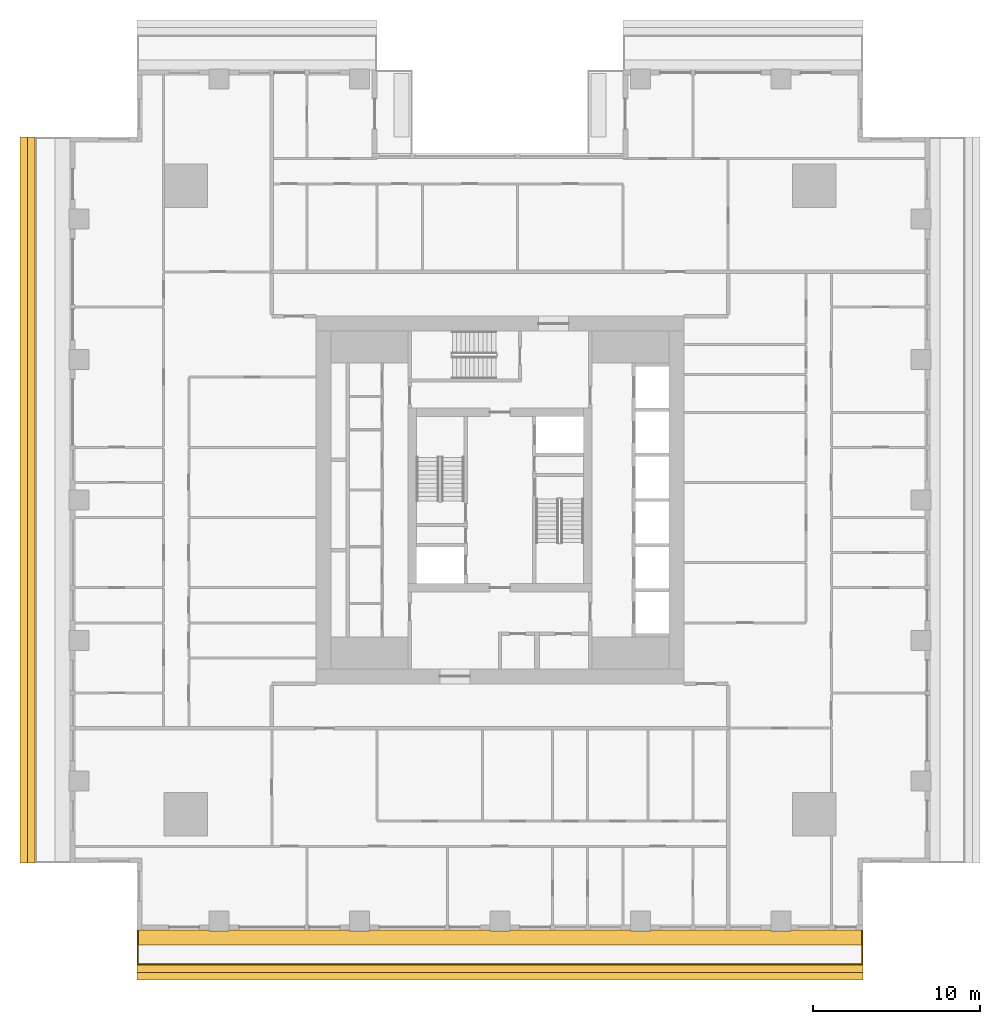
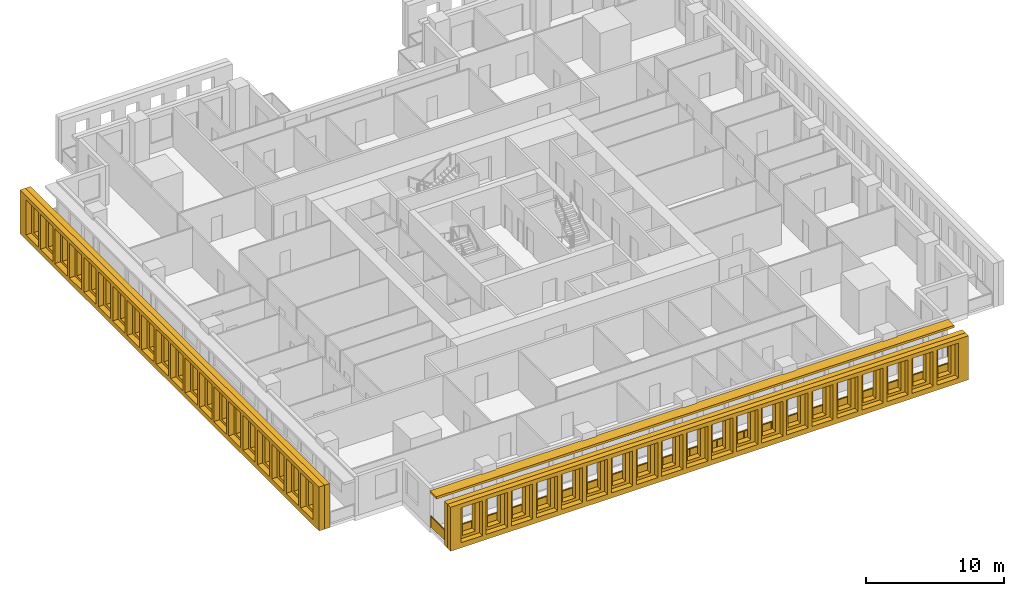
# One storey, part 11 of 16: 5 shading devices, 1 railing.
"""IFC4 building model written with IfcOpenShell, lengths in metres."""

from ifc_helpers import new_model, si_unit, direction, frame, origin, origin_2d, place, context, subcontext, project, spatial, polyline, rectangle, outline, extrude, material, layer, layer_set, type_object, element, save


model = new_model("IFC4")

# Units and contexts
model_context = context("Model", 3, precision=1e-05, world=origin(), true_north=direction((0.0, 1.0)))
body_context = subcontext(model_context, "Body", "Model", "MODEL_VIEW")
ifc_project = project(units=[si_unit("LENGTHUNIT", "METRE"), si_unit("AREAUNIT", "SQUARE_METRE"), si_unit("VOLUMEUNIT", "CUBIC_METRE"), si_unit("PLANEANGLEUNIT", "RADIAN"), si_unit("MASSUNIT", "GRAM", prefix="KILO")], contexts=[model_context])

# Site, building, storey
site_placement = place(None, origin())
site = spatial("IfcSite", under=ifc_project, at=site_placement, CompositionType="ELEMENT")
building_placement = place(site_placement, origin())
building = spatial("IfcBuilding", under=site, at=building_placement, Name="Khepri Terraces", CompositionType="ELEMENT")
storey_placement = place(building_placement, frame((0.0, 0.0, 149.39990234375)))
storey = spatial("IfcBuildingStorey", under=building, at=storey_placement, Name="L35", CompositionType="ELEMENT", Elevation=149.39990234375)

# Railing
ifc_material_1 = material(Name="Stainless steel grade 316", Category="steel")
railing_type = type_object("IfcRailingType", Name="GRD-BAL-1100", PredefinedType="GUARDRAIL", material=ifc_material_1)
railing_placement = place(storey_placement, frame((-21.669921875, -25.719970703125, 0.0)))
element("IfcRailing", 1, at=railing_placement, inside=storey, type_object=railing_type, Name="Balcony guard L35 S", PredefinedType="GUARDRAIL", context=body_context, shape_type="SweptSolid", body=[
    extrude(rectangle(XDim=0.050048828125, YDim=0.06005859375, at=origin_2d()), frame((0.0, 0.0, 1.070068359375), z_axis=(0.0, -1.0, 0.0), x_axis=(1.0, 0.0, 0.0)), (0.0, 0.0, 1.0), 2.050048828125),
    extrude(rectangle(XDim=2.0, YDim=0.011962890625, at=origin_2d()), frame((0.0, -1.02490234375, 0.10009765625), z_axis=(0.0, 0.0, 1.0), x_axis=(0.0, -1.0, 0.0)), (0.0, 0.0, 1.0), 0.93994140625),
    extrude(rectangle(XDim=0.050048828125, YDim=0.06005859375, at=origin_2d()), frame((0.0, -2.050048828125, 1.070068359375), z_axis=(1.0, 0.0, 0.0), x_axis=(0.0, 1.0, 0.0)), (0.0, 0.0, 1.0), 43.33984375),
    extrude(rectangle(XDim=2.23095703125, YDim=0.011962890625, at=origin_2d()), frame((1.140625, -2.050048828125, 0.10009765625), z_axis=(0.0, 0.0, 1.0), x_axis=(1.0, 0.0, 0.0)), (0.0, 0.0, 1.0), 0.93994140625),
    extrude(rectangle(XDim=2.23095703125, YDim=0.011962890625, at=origin_2d()), frame((3.421630859375, -2.050048828125, 0.10009765625), z_axis=(0.0, 0.0, 1.0), x_axis=(1.0, 0.0, 0.0)), (0.0, 0.0, 1.0), 0.93994140625),
    extrude(rectangle(XDim=2.23095703125, YDim=0.011962890625, at=origin_2d()), frame((5.70263671875, -2.050048828125, 0.10009765625), z_axis=(0.0, 0.0, 1.0), x_axis=(1.0, 0.0, 0.0)), (0.0, 0.0, 1.0), 0.93994140625),
    extrude(rectangle(XDim=2.23095703125, YDim=0.011962890625, at=origin_2d()), frame((7.983642578125, -2.050048828125, 0.10009765625), z_axis=(0.0, 0.0, 1.0), x_axis=(1.0, 0.0, 0.0)), (0.0, 0.0, 1.0), 0.93994140625),
    extrude(rectangle(XDim=2.23095703125, YDim=0.011962890625, at=origin_2d()), frame((10.2646484375, -2.050048828125, 0.10009765625), z_axis=(0.0, 0.0, 1.0), x_axis=(1.0, 0.0, 0.0)), (0.0, 0.0, 1.0), 0.93994140625),
    extrude(rectangle(XDim=2.23095703125, YDim=0.011962890625, at=origin_2d()), frame((12.545654296875, -2.050048828125, 0.10009765625), z_axis=(0.0, 0.0, 1.0), x_axis=(1.0, 0.0, 0.0)), (0.0, 0.0, 1.0), 0.93994140625),
    extrude(rectangle(XDim=2.23095703125, YDim=0.011962890625, at=origin_2d()), frame((14.826904296875, -2.050048828125, 0.10009765625), z_axis=(0.0, 0.0, 1.0), x_axis=(1.0, 0.0, 0.0)), (0.0, 0.0, 1.0), 0.93994140625),
    extrude(rectangle(XDim=2.23095703125, YDim=0.011962890625, at=origin_2d()), frame((17.10791015625, -2.050048828125, 0.10009765625), z_axis=(0.0, 0.0, 1.0), x_axis=(1.0, 0.0, 0.0)), (0.0, 0.0, 1.0), 0.93994140625),
    extrude(rectangle(XDim=2.23095703125, YDim=0.011962890625, at=origin_2d()), frame((19.388916015625, -2.050048828125, 0.10009765625), z_axis=(0.0, 0.0, 1.0), x_axis=(1.0, 0.0, 0.0)), (0.0, 0.0, 1.0), 0.93994140625),
    extrude(rectangle(XDim=2.23095703125, YDim=0.011962890625, at=origin_2d()), frame((21.669921875, -2.050048828125, 0.10009765625), z_axis=(0.0, 0.0, 1.0), x_axis=(1.0, 0.0, 0.0)), (0.0, 0.0, 1.0), 0.93994140625),
    extrude(rectangle(XDim=2.23095703125, YDim=0.011962890625, at=origin_2d()), frame((23.950927734375, -2.050048828125, 0.10009765625), z_axis=(0.0, 0.0, 1.0), x_axis=(1.0, 0.0, 0.0)), (0.0, 0.0, 1.0), 0.93994140625),
    extrude(rectangle(XDim=2.23095703125, YDim=0.011962890625, at=origin_2d()), frame((26.23193359375, -2.050048828125, 0.10009765625), z_axis=(0.0, 0.0, 1.0), x_axis=(1.0, 0.0, 0.0)), (0.0, 0.0, 1.0), 0.93994140625),
    extrude(rectangle(XDim=2.23095703125, YDim=0.011962890625, at=origin_2d()), frame((28.512939453125, -2.050048828125, 0.10009765625), z_axis=(0.0, 0.0, 1.0), x_axis=(1.0, 0.0, 0.0)), (0.0, 0.0, 1.0), 0.93994140625),
    extrude(rectangle(XDim=2.23095703125, YDim=0.011962890625, at=origin_2d()), frame((30.794189453125, -2.050048828125, 0.10009765625), z_axis=(0.0, 0.0, 1.0), x_axis=(1.0, 0.0, 0.0)), (0.0, 0.0, 1.0), 0.93994140625),
    extrude(rectangle(XDim=2.23095703125, YDim=0.011962890625, at=origin_2d()), frame((33.0751953125, -2.050048828125, 0.10009765625), z_axis=(0.0, 0.0, 1.0), x_axis=(1.0, 0.0, 0.0)), (0.0, 0.0, 1.0), 0.93994140625),
    extrude(rectangle(XDim=2.23095703125, YDim=0.011962890625, at=origin_2d()), frame((35.356201171875, -2.050048828125, 0.10009765625), z_axis=(0.0, 0.0, 1.0), x_axis=(1.0, 0.0, 0.0)), (0.0, 0.0, 1.0), 0.93994140625),
    extrude(rectangle(XDim=2.23095703125, YDim=0.011962890625, at=origin_2d()), frame((37.63720703125, -2.050048828125, 0.10009765625), z_axis=(0.0, 0.0, 1.0), x_axis=(1.0, 0.0, 0.0)), (0.0, 0.0, 1.0), 0.93994140625),
    extrude(rectangle(XDim=2.23095703125, YDim=0.011962890625, at=origin_2d()), frame((39.918212890625, -2.050048828125, 0.10009765625), z_axis=(0.0, 0.0, 1.0), x_axis=(1.0, 0.0, 0.0)), (0.0, 0.0, 1.0), 0.93994140625),
    extrude(rectangle(XDim=2.23095703125, YDim=0.011962890625, at=origin_2d()), frame((42.19921875, -2.050048828125, 0.10009765625), z_axis=(0.0, 0.0, 1.0), x_axis=(1.0, 0.0, 0.0)), (0.0, 0.0, 1.0), 0.93994140625),
    extrude(rectangle(XDim=0.050048828125, YDim=0.06005859375, at=origin_2d()), frame((43.33984375, -2.050048828125, 1.070068359375), z_axis=(0.0, 1.0, 0.0), x_axis=(-1.0, 0.0, 0.0)), (0.0, 0.0, 1.0), 2.050048828125),
    extrude(rectangle(XDim=2.0, YDim=0.011962890625, at=origin_2d()), frame((43.33984375, -1.02490234375, 0.10009765625), z_axis=(0.0, 0.0, 1.0), x_axis=(0.0, 1.0, 0.0)), (0.0, 0.0, 1.0), 0.93994140625),
    extrude(rectangle(XDim=0.050048828125, YDim=0.050048828125, at=origin_2d()), origin(), (0.0, 0.0, 1.0), 1.0400390625),
    extrude(rectangle(XDim=0.050048828125, YDim=0.050048828125, at=origin_2d()), frame((0.0, -2.050048828125, 0.0)), (0.0, 0.0, 1.0), 1.0400390625),
    extrude(rectangle(XDim=0.050048828125, YDim=0.050048828125, at=origin_2d()), frame((2.281005859375, -2.050048828125, 0.0)), (0.0, 0.0, 1.0), 1.0400390625),
    extrude(rectangle(XDim=0.050048828125, YDim=0.050048828125, at=origin_2d()), frame((4.56201171875, -2.050048828125, 0.0)), (0.0, 0.0, 1.0), 1.0400390625),
    extrude(rectangle(XDim=0.050048828125, YDim=0.050048828125, at=origin_2d()), frame((6.843017578125, -2.050048828125, 0.0)), (0.0, 0.0, 1.0), 1.0400390625),
    extrude(rectangle(XDim=0.050048828125, YDim=0.050048828125, at=origin_2d()), frame((9.124267578125, -2.050048828125, 0.0)), (0.0, 0.0, 1.0), 1.0400390625),
    extrude(rectangle(XDim=0.050048828125, YDim=0.050048828125, at=origin_2d()), frame((11.4052734375, -2.050048828125, 0.0)), (0.0, 0.0, 1.0), 1.0400390625),
    extrude(rectangle(XDim=0.050048828125, YDim=0.050048828125, at=origin_2d()), frame((13.686279296875, -2.050048828125, 0.0)), (0.0, 0.0, 1.0), 1.0400390625),
    extrude(rectangle(XDim=0.050048828125, YDim=0.050048828125, at=origin_2d()), frame((15.96728515625, -2.050048828125, 0.0)), (0.0, 0.0, 1.0), 1.0400390625),
    extrude(rectangle(XDim=0.050048828125, YDim=0.050048828125, at=origin_2d()), frame((18.248291015625, -2.050048828125, 0.0)), (0.0, 0.0, 1.0), 1.0400390625),
    extrude(rectangle(XDim=0.050048828125, YDim=0.050048828125, at=origin_2d()), frame((20.529296875, -2.050048828125, 0.0)), (0.0, 0.0, 1.0), 1.0400390625),
    extrude(rectangle(XDim=0.050048828125, YDim=0.050048828125, at=origin_2d()), frame((22.810546875, -2.050048828125, 0.0)), (0.0, 0.0, 1.0), 1.0400390625),
    extrude(rectangle(XDim=0.050048828125, YDim=0.050048828125, at=origin_2d()), frame((25.091552734375, -2.050048828125, 0.0)), (0.0, 0.0, 1.0), 1.0400390625),
    extrude(rectangle(XDim=0.050048828125, YDim=0.050048828125, at=origin_2d()), frame((27.37255859375, -2.050048828125, 0.0)), (0.0, 0.0, 1.0), 1.0400390625),
    extrude(rectangle(XDim=0.050048828125, YDim=0.050048828125, at=origin_2d()), frame((29.653564453125, -2.050048828125, 0.0)), (0.0, 0.0, 1.0), 1.0400390625),
    extrude(rectangle(XDim=0.050048828125, YDim=0.050048828125, at=origin_2d()), frame((31.9345703125, -2.050048828125, 0.0)), (0.0, 0.0, 1.0), 1.0400390625),
    extrude(rectangle(XDim=0.050048828125, YDim=0.050048828125, at=origin_2d()), frame((34.215576171875, -2.050048828125, 0.0)), (0.0, 0.0, 1.0), 1.0400390625),
    extrude(rectangle(XDim=0.050048828125, YDim=0.050048828125, at=origin_2d()), frame((36.496826171875, -2.050048828125, 0.0)), (0.0, 0.0, 1.0), 1.0400390625),
    extrude(rectangle(XDim=0.050048828125, YDim=0.050048828125, at=origin_2d()), frame((38.77783203125, -2.050048828125, 0.0)), (0.0, 0.0, 1.0), 1.0400390625),
    extrude(rectangle(XDim=0.050048828125, YDim=0.050048828125, at=origin_2d()), frame((41.058837890625, -2.050048828125, 0.0)), (0.0, 0.0, 1.0), 1.0400390625),
    extrude(rectangle(XDim=0.050048828125, YDim=0.050048828125, at=origin_2d()), frame((43.33984375, -2.050048828125, 0.0)), (0.0, 0.0, 1.0), 1.0400390625),
    extrude(rectangle(XDim=0.050048828125, YDim=0.050048828125, at=origin_2d()), frame((43.33984375, 0.0, 0.0)), (0.0, 0.0, 1.0), 1.0400390625),
])

# Shading devices
ifc_material_2 = material(Name="Precast concrete C50/60 warm stone", Category="masonry")
shading_device_type_1 = type_object("IfcShadingDeviceType", Name="SCR-CELL-INNER-450", PredefinedType="USERDEFINED", material=ifc_material_2)
shading_device_1_placement = place(storey_placement, frame((-21.719970703125, -27.820068359375, -0.25), z_axis=(0.0, -1.0, 0.0), x_axis=(1.0, 0.0, 0.0)))
element("IfcShadingDevice", 2, at=shading_device_1_placement, inside=storey, type_object=shading_device_type_1, Name="Cell screen L35 S in", ObjectType="SCREEN", PredefinedType="USERDEFINED", context=body_context, shape_type="SweptSolid", body=[
    extrude(outline(polyline([(0.0, 0.0), (43.43994140625, 0.0), (43.43994140625, 3.89990234375), (0.0, 3.89990234375), (0.0, 0.0)]), holes=[polyline([(1.2265625, 0.699951171875), (2.3134765625, 0.699951171875), (2.3134765625, 3.300048828125), (1.2265625, 3.300048828125), (1.2265625, 0.699951171875)]), polyline([(3.32666015625, 0.699951171875), (4.413330078125, 0.699951171875), (4.413330078125, 3.300048828125), (3.32666015625, 3.300048828125), (3.32666015625, 0.699951171875)]), polyline([(5.426513671875, 0.699951171875), (6.513427734375, 0.699951171875), (6.513427734375, 3.300048828125), (5.426513671875, 3.300048828125), (5.426513671875, 0.699951171875)]), polyline([(7.526611328125, 0.699951171875), (8.61328125, 0.699951171875), (8.61328125, 3.300048828125), (7.526611328125, 3.300048828125), (7.526611328125, 0.699951171875)]), polyline([(9.626708984375, 0.699951171875), (10.71337890625, 0.699951171875), (10.71337890625, 3.300048828125), (9.626708984375, 3.300048828125), (9.626708984375, 0.699951171875)]), polyline([(11.7265625, 0.699951171875), (12.8134765625, 0.699951171875), (12.8134765625, 3.300048828125), (11.7265625, 3.300048828125), (11.7265625, 0.699951171875)]), polyline([(13.82666015625, 0.699951171875), (14.913330078125, 0.699951171875), (14.913330078125, 3.300048828125), (13.82666015625, 3.300048828125), (13.82666015625, 0.699951171875)]), polyline([(15.926513671875, 0.699951171875), (17.013427734375, 0.699951171875), (17.013427734375, 3.300048828125), (15.926513671875, 3.300048828125), (15.926513671875, 0.699951171875)]), polyline([(18.026611328125, 0.699951171875), (19.11328125, 0.699951171875), (19.11328125, 3.300048828125), (18.026611328125, 3.300048828125), (18.026611328125, 0.699951171875)]), polyline([(20.126708984375, 0.699951171875), (21.21337890625, 0.699951171875), (21.21337890625, 3.300048828125), (20.126708984375, 3.300048828125), (20.126708984375, 0.699951171875)]), polyline([(22.2265625, 0.699951171875), (23.3134765625, 0.699951171875), (23.3134765625, 3.300048828125), (22.2265625, 3.300048828125), (22.2265625, 0.699951171875)]), polyline([(24.32666015625, 0.699951171875), (25.413330078125, 0.699951171875), (25.413330078125, 3.300048828125), (24.32666015625, 3.300048828125), (24.32666015625, 0.699951171875)]), polyline([(26.426513671875, 0.699951171875), (27.513427734375, 0.699951171875), (27.513427734375, 3.300048828125), (26.426513671875, 3.300048828125), (26.426513671875, 0.699951171875)]), polyline([(28.526611328125, 0.699951171875), (29.61328125, 0.699951171875), (29.61328125, 3.300048828125), (28.526611328125, 3.300048828125), (28.526611328125, 0.699951171875)]), polyline([(30.626708984375, 0.699951171875), (31.71337890625, 0.699951171875), (31.71337890625, 3.300048828125), (30.626708984375, 3.300048828125), (30.626708984375, 0.699951171875)]), polyline([(32.7265625, 0.699951171875), (33.8134765625, 0.699951171875), (33.8134765625, 3.300048828125), (32.7265625, 3.300048828125), (32.7265625, 0.699951171875)]), polyline([(34.82666015625, 0.699951171875), (35.913330078125, 0.699951171875), (35.913330078125, 3.300048828125), (34.82666015625, 3.300048828125), (34.82666015625, 0.699951171875)]), polyline([(36.926513671875, 0.699951171875), (38.013427734375, 0.699951171875), (38.013427734375, 3.300048828125), (36.926513671875, 3.300048828125), (36.926513671875, 0.699951171875)]), polyline([(39.026611328125, 0.699951171875), (40.11328125, 0.699951171875), (40.11328125, 3.300048828125), (39.026611328125, 3.300048828125), (39.026611328125, 0.699951171875)]), polyline([(41.126708984375, 0.699951171875), (42.21337890625, 0.699951171875), (42.21337890625, 3.300048828125), (41.126708984375, 3.300048828125), (41.126708984375, 0.699951171875)])]), origin(), (0.0, 0.0, 1.0), 0.449951171875),
])
shading_device_2_placement = place(storey_placement, frame((-27.820068359375, 21.719970703125, -0.25), z_axis=(-1.0, 0.0, 0.0), x_axis=(0.0, -1.0, 0.0)))
element("IfcShadingDevice", 3, at=shading_device_2_placement, inside=storey, type_object=shading_device_type_1, Name="Cell screen L35 W in", ObjectType="SCREEN", PredefinedType="USERDEFINED", context=body_context, shape_type="SweptSolid", body=[
    extrude(outline(polyline([(0.0, 0.0), (43.43994140625, 0.0), (43.43994140625, 3.89990234375), (0.0, 3.89990234375), (0.0, 0.0)]), holes=[polyline([(1.2265625, 0.699951171875), (2.3134765625, 0.699951171875), (2.3134765625, 3.300048828125), (1.2265625, 3.300048828125), (1.2265625, 0.699951171875)]), polyline([(3.32666015625, 0.699951171875), (4.413330078125, 0.699951171875), (4.413330078125, 3.300048828125), (3.32666015625, 3.300048828125), (3.32666015625, 0.699951171875)]), polyline([(5.426513671875, 0.699951171875), (6.513427734375, 0.699951171875), (6.513427734375, 3.300048828125), (5.426513671875, 3.300048828125), (5.426513671875, 0.699951171875)]), polyline([(7.526611328125, 0.699951171875), (8.61328125, 0.699951171875), (8.61328125, 3.300048828125), (7.526611328125, 3.300048828125), (7.526611328125, 0.699951171875)]), polyline([(9.626708984375, 0.699951171875), (10.71337890625, 0.699951171875), (10.71337890625, 3.300048828125), (9.626708984375, 3.300048828125), (9.626708984375, 0.699951171875)]), polyline([(11.7265625, 0.699951171875), (12.8134765625, 0.699951171875), (12.8134765625, 3.300048828125), (11.7265625, 3.300048828125), (11.7265625, 0.699951171875)]), polyline([(13.82666015625, 0.699951171875), (14.913330078125, 0.699951171875), (14.913330078125, 3.300048828125), (13.82666015625, 3.300048828125), (13.82666015625, 0.699951171875)]), polyline([(15.926513671875, 0.699951171875), (17.013427734375, 0.699951171875), (17.013427734375, 3.300048828125), (15.926513671875, 3.300048828125), (15.926513671875, 0.699951171875)]), polyline([(18.026611328125, 0.699951171875), (19.11328125, 0.699951171875), (19.11328125, 3.300048828125), (18.026611328125, 3.300048828125), (18.026611328125, 0.699951171875)]), polyline([(20.126708984375, 0.699951171875), (21.21337890625, 0.699951171875), (21.21337890625, 3.300048828125), (20.126708984375, 3.300048828125), (20.126708984375, 0.699951171875)]), polyline([(22.2265625, 0.699951171875), (23.3134765625, 0.699951171875), (23.3134765625, 3.300048828125), (22.2265625, 3.300048828125), (22.2265625, 0.699951171875)]), polyline([(24.32666015625, 0.699951171875), (25.413330078125, 0.699951171875), (25.413330078125, 3.300048828125), (24.32666015625, 3.300048828125), (24.32666015625, 0.699951171875)]), polyline([(26.426513671875, 0.699951171875), (27.513427734375, 0.699951171875), (27.513427734375, 3.300048828125), (26.426513671875, 3.300048828125), (26.426513671875, 0.699951171875)]), polyline([(28.526611328125, 0.699951171875), (29.61328125, 0.699951171875), (29.61328125, 3.300048828125), (28.526611328125, 3.300048828125), (28.526611328125, 0.699951171875)]), polyline([(30.626708984375, 0.699951171875), (31.71337890625, 0.699951171875), (31.71337890625, 3.300048828125), (30.626708984375, 3.300048828125), (30.626708984375, 0.699951171875)]), polyline([(32.7265625, 0.699951171875), (33.8134765625, 0.699951171875), (33.8134765625, 3.300048828125), (32.7265625, 3.300048828125), (32.7265625, 0.699951171875)]), polyline([(34.82666015625, 0.699951171875), (35.913330078125, 0.699951171875), (35.913330078125, 3.300048828125), (34.82666015625, 3.300048828125), (34.82666015625, 0.699951171875)]), polyline([(36.926513671875, 0.699951171875), (38.013427734375, 0.699951171875), (38.013427734375, 3.300048828125), (36.926513671875, 3.300048828125), (36.926513671875, 0.699951171875)]), polyline([(39.026611328125, 0.699951171875), (40.11328125, 0.699951171875), (40.11328125, 3.300048828125), (39.026611328125, 3.300048828125), (39.026611328125, 0.699951171875)]), polyline([(41.126708984375, 0.699951171875), (42.21337890625, 0.699951171875), (42.21337890625, 3.300048828125), (41.126708984375, 3.300048828125), (41.126708984375, 0.699951171875)])]), origin(), (0.0, 0.0, 1.0), 0.449951171875),
])
shading_device_type_2 = type_object("IfcShadingDeviceType", Name="SCR-CELL-OUTER-450", PredefinedType="USERDEFINED", material=ifc_material_2)
shading_device_3_placement = place(storey_placement, frame((-21.719970703125, -28.27001953125, -0.25), z_axis=(0.0, -1.0, 0.0), x_axis=(1.0, 0.0, 0.0)))
element("IfcShadingDevice", 4, at=shading_device_3_placement, inside=storey, type_object=shading_device_type_2, Name="Cell screen L35 S out", ObjectType="SCREEN", PredefinedType="USERDEFINED", context=body_context, shape_type="SweptSolid", body=[
    extrude(outline(polyline([(0.0, 0.0), (43.43994140625, 0.0), (43.43994140625, 3.89990234375), (0.0, 3.89990234375), (0.0, 0.0)]), holes=[polyline([(0.876708984375, 0.449951171875), (2.663330078125, 0.449951171875), (2.663330078125, 3.550048828125), (0.876708984375, 3.550048828125), (0.876708984375, 0.449951171875)]), polyline([(2.9765625, 0.449951171875), (4.763427734375, 0.449951171875), (4.763427734375, 3.550048828125), (2.9765625, 3.550048828125), (2.9765625, 0.449951171875)]), polyline([(5.07666015625, 0.449951171875), (6.86328125, 0.449951171875), (6.86328125, 3.550048828125), (5.07666015625, 3.550048828125), (5.07666015625, 0.449951171875)]), polyline([(7.176513671875, 0.449951171875), (8.96337890625, 0.449951171875), (8.96337890625, 3.550048828125), (7.176513671875, 3.550048828125), (7.176513671875, 0.449951171875)]), polyline([(9.276611328125, 0.449951171875), (11.0634765625, 0.449951171875), (11.0634765625, 3.550048828125), (9.276611328125, 3.550048828125), (9.276611328125, 0.449951171875)]), polyline([(11.376708984375, 0.449951171875), (13.163330078125, 0.449951171875), (13.163330078125, 3.550048828125), (11.376708984375, 3.550048828125), (11.376708984375, 0.449951171875)]), polyline([(13.4765625, 0.449951171875), (15.263427734375, 0.449951171875), (15.263427734375, 3.550048828125), (13.4765625, 3.550048828125), (13.4765625, 0.449951171875)]), polyline([(15.57666015625, 0.449951171875), (17.36328125, 0.449951171875), (17.36328125, 3.550048828125), (15.57666015625, 3.550048828125), (15.57666015625, 0.449951171875)]), polyline([(17.676513671875, 0.449951171875), (19.46337890625, 0.449951171875), (19.46337890625, 3.550048828125), (17.676513671875, 3.550048828125), (17.676513671875, 0.449951171875)]), polyline([(19.776611328125, 0.449951171875), (21.5634765625, 0.449951171875), (21.5634765625, 3.550048828125), (19.776611328125, 3.550048828125), (19.776611328125, 0.449951171875)]), polyline([(21.876708984375, 0.449951171875), (23.663330078125, 0.449951171875), (23.663330078125, 3.550048828125), (21.876708984375, 3.550048828125), (21.876708984375, 0.449951171875)]), polyline([(23.9765625, 0.449951171875), (25.763427734375, 0.449951171875), (25.763427734375, 3.550048828125), (23.9765625, 3.550048828125), (23.9765625, 0.449951171875)]), polyline([(26.07666015625, 0.449951171875), (27.86328125, 0.449951171875), (27.86328125, 3.550048828125), (26.07666015625, 3.550048828125), (26.07666015625, 0.449951171875)]), polyline([(28.176513671875, 0.449951171875), (29.96337890625, 0.449951171875), (29.96337890625, 3.550048828125), (28.176513671875, 3.550048828125), (28.176513671875, 0.449951171875)]), polyline([(30.276611328125, 0.449951171875), (32.0634765625, 0.449951171875), (32.0634765625, 3.550048828125), (30.276611328125, 3.550048828125), (30.276611328125, 0.449951171875)]), polyline([(32.376708984375, 0.449951171875), (34.163330078125, 0.449951171875), (34.163330078125, 3.550048828125), (32.376708984375, 3.550048828125), (32.376708984375, 0.449951171875)]), polyline([(34.4765625, 0.449951171875), (36.263427734375, 0.449951171875), (36.263427734375, 3.550048828125), (34.4765625, 3.550048828125), (34.4765625, 0.449951171875)]), polyline([(36.57666015625, 0.449951171875), (38.36328125, 0.449951171875), (38.36328125, 3.550048828125), (36.57666015625, 3.550048828125), (36.57666015625, 0.449951171875)]), polyline([(38.676513671875, 0.449951171875), (40.46337890625, 0.449951171875), (40.46337890625, 3.550048828125), (38.676513671875, 3.550048828125), (38.676513671875, 0.449951171875)]), polyline([(40.776611328125, 0.449951171875), (42.5634765625, 0.449951171875), (42.5634765625, 3.550048828125), (40.776611328125, 3.550048828125), (40.776611328125, 0.449951171875)])]), origin(), (0.0, 0.0, 1.0), 0.449951171875),
])
shading_device_4_placement = place(storey_placement, frame((-28.27001953125, 21.719970703125, -0.25), z_axis=(-1.0, 0.0, 0.0), x_axis=(0.0, -1.0, 0.0)))
element("IfcShadingDevice", 5, at=shading_device_4_placement, inside=storey, type_object=shading_device_type_2, Name="Cell screen L35 W out", ObjectType="SCREEN", PredefinedType="USERDEFINED", context=body_context, shape_type="SweptSolid", body=[
    extrude(outline(polyline([(0.0, 0.0), (43.43994140625, 0.0), (43.43994140625, 3.89990234375), (0.0, 3.89990234375), (0.0, 0.0)]), holes=[polyline([(0.876708984375, 0.449951171875), (2.663330078125, 0.449951171875), (2.663330078125, 3.550048828125), (0.876708984375, 3.550048828125), (0.876708984375, 0.449951171875)]), polyline([(2.9765625, 0.449951171875), (4.763427734375, 0.449951171875), (4.763427734375, 3.550048828125), (2.9765625, 3.550048828125), (2.9765625, 0.449951171875)]), polyline([(5.07666015625, 0.449951171875), (6.86328125, 0.449951171875), (6.86328125, 3.550048828125), (5.07666015625, 3.550048828125), (5.07666015625, 0.449951171875)]), polyline([(7.176513671875, 0.449951171875), (8.96337890625, 0.449951171875), (8.96337890625, 3.550048828125), (7.176513671875, 3.550048828125), (7.176513671875, 0.449951171875)]), polyline([(9.276611328125, 0.449951171875), (11.0634765625, 0.449951171875), (11.0634765625, 3.550048828125), (9.276611328125, 3.550048828125), (9.276611328125, 0.449951171875)]), polyline([(11.376708984375, 0.449951171875), (13.163330078125, 0.449951171875), (13.163330078125, 3.550048828125), (11.376708984375, 3.550048828125), (11.376708984375, 0.449951171875)]), polyline([(13.4765625, 0.449951171875), (15.263427734375, 0.449951171875), (15.263427734375, 3.550048828125), (13.4765625, 3.550048828125), (13.4765625, 0.449951171875)]), polyline([(15.57666015625, 0.449951171875), (17.36328125, 0.449951171875), (17.36328125, 3.550048828125), (15.57666015625, 3.550048828125), (15.57666015625, 0.449951171875)]), polyline([(17.676513671875, 0.449951171875), (19.46337890625, 0.449951171875), (19.46337890625, 3.550048828125), (17.676513671875, 3.550048828125), (17.676513671875, 0.449951171875)]), polyline([(19.776611328125, 0.449951171875), (21.5634765625, 0.449951171875), (21.5634765625, 3.550048828125), (19.776611328125, 3.550048828125), (19.776611328125, 0.449951171875)]), polyline([(21.876708984375, 0.449951171875), (23.663330078125, 0.449951171875), (23.663330078125, 3.550048828125), (21.876708984375, 3.550048828125), (21.876708984375, 0.449951171875)]), polyline([(23.9765625, 0.449951171875), (25.763427734375, 0.449951171875), (25.763427734375, 3.550048828125), (23.9765625, 3.550048828125), (23.9765625, 0.449951171875)]), polyline([(26.07666015625, 0.449951171875), (27.86328125, 0.449951171875), (27.86328125, 3.550048828125), (26.07666015625, 3.550048828125), (26.07666015625, 0.449951171875)]), polyline([(28.176513671875, 0.449951171875), (29.96337890625, 0.449951171875), (29.96337890625, 3.550048828125), (28.176513671875, 3.550048828125), (28.176513671875, 0.449951171875)]), polyline([(30.276611328125, 0.449951171875), (32.0634765625, 0.449951171875), (32.0634765625, 3.550048828125), (30.276611328125, 3.550048828125), (30.276611328125, 0.449951171875)]), polyline([(32.376708984375, 0.449951171875), (34.163330078125, 0.449951171875), (34.163330078125, 3.550048828125), (32.376708984375, 3.550048828125), (32.376708984375, 0.449951171875)]), polyline([(34.4765625, 0.449951171875), (36.263427734375, 0.449951171875), (36.263427734375, 3.550048828125), (34.4765625, 3.550048828125), (34.4765625, 0.449951171875)]), polyline([(36.57666015625, 0.449951171875), (38.36328125, 0.449951171875), (38.36328125, 3.550048828125), (36.57666015625, 3.550048828125), (36.57666015625, 0.449951171875)]), polyline([(38.676513671875, 0.449951171875), (40.46337890625, 0.449951171875), (40.46337890625, 3.550048828125), (38.676513671875, 3.550048828125), (38.676513671875, 0.449951171875)]), polyline([(40.776611328125, 0.449951171875), (42.5634765625, 0.449951171875), (42.5634765625, 3.550048828125), (40.776611328125, 3.550048828125), (40.776611328125, 0.449951171875)])]), origin(), (0.0, 0.0, 1.0), 0.449951171875),
])
ifc_layer = layer(ifc_material_2, 0.199951171875, Name="Precast concrete C50/60 warm stone", Category="masonry")
ifc_layer_set = layer_set([ifc_layer], Name="Precast concrete C50/60 warm stone")
shading_device_type_3 = type_object("IfcShadingDeviceType", Name="SSH-BAND-STONE-200", PredefinedType="USERDEFINED", material=ifc_layer_set)
shading_device_5_placement = place(storey_placement, frame((0.0, 0.0, 3.10009765625)))
element("IfcShadingDevice", 6, at=shading_device_5_placement, inside=storey, type_object=shading_device_type_3, Name="Sunshade band L35 S", ObjectType="SUNSHADE", PredefinedType="USERDEFINED", context=body_context, shape_type="SweptSolid", body=[
    extrude(outline(polyline([(-17.39990234375, -25.719970703125), (-21.719970703125, -25.719970703125), (-21.719970703125, -26.6201171875), (21.719970703125, -26.6201171875), (21.719970703125, -25.719970703125), (17.39990234375, -25.719970703125), (17.39990234375, -25.800048828125), (16.199951171875, -25.800048828125), (16.199951171875, -25.719970703125), (9.0, -25.719970703125), (9.0, -25.800048828125), (7.800048828125, -25.800048828125), (7.800048828125, -25.719970703125), (0.60009765625, -25.719970703125), (0.60009765625, -25.800048828125), (-0.60009765625, -25.800048828125), (-0.60009765625, -25.719970703125), (-7.800048828125, -25.719970703125), (-7.800048828125, -25.800048828125), (-9.0, -25.800048828125), (-9.0, -25.719970703125), (-16.199951171875, -25.719970703125), (-16.199951171875, -25.800048828125), (-17.39990234375, -25.800048828125), (-17.39990234375, -25.719970703125)])), origin(), (0.0, 0.0, 1.0), 0.199951171875),
])

save(model, "model.ifc")
